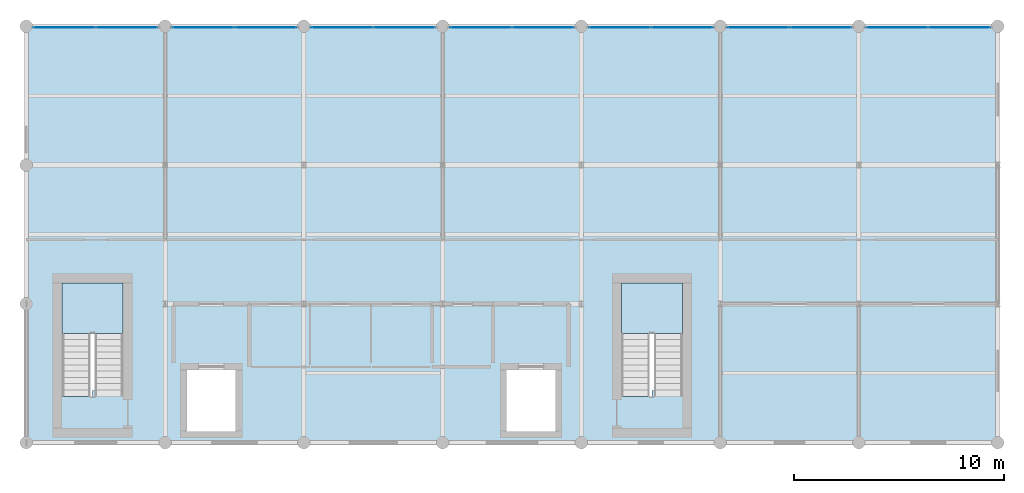
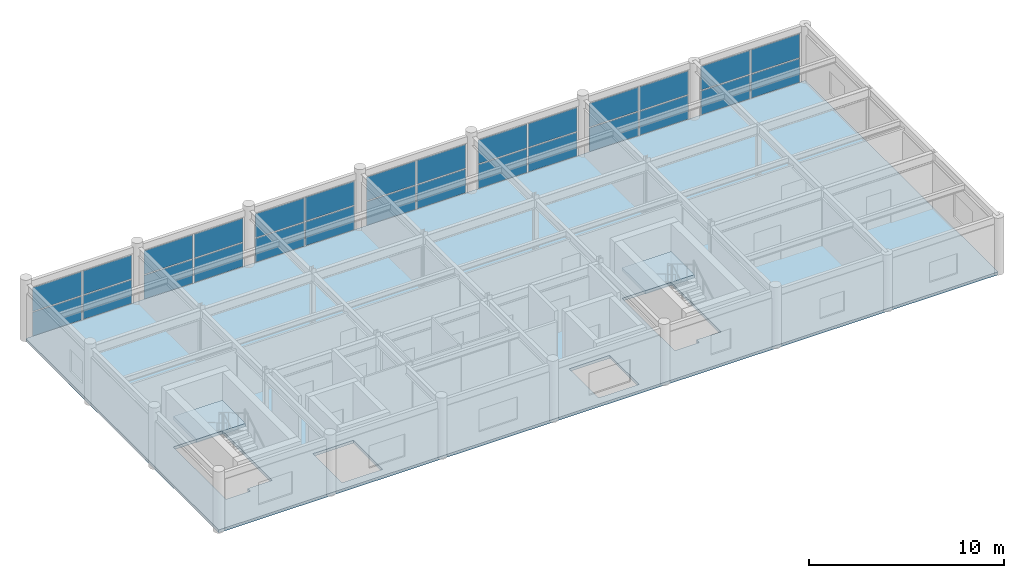
# One storey, part 12 of 17: 28 plates, 3 slabs, 9 elements without a shape of their own.
"""IFC4 building model written with IfcOpenShell, lengths in metres."""

from ifc_helpers import new_model, si_unit, direction, frame, origin, origin_2d, place, context, subcontext, project, spatial, polyline, rectangle, outline, extrude, material, layer, layer_set, type_object, element, aggregate, save


model = new_model("IFC4")

# Units and contexts
model_context = context("Model", 3, precision=1e-05, world=origin(), true_north=direction((0.0, 1.0)))
body_context = subcontext(model_context, "Body", "Model", "MODEL_VIEW")
ifc_project = project(units=[si_unit("LENGTHUNIT", "METRE"), si_unit("AREAUNIT", "SQUARE_METRE"), si_unit("VOLUMEUNIT", "CUBIC_METRE"), si_unit("PLANEANGLEUNIT", "RADIAN"), si_unit("MASSUNIT", "GRAM", prefix="KILO")], contexts=[model_context])

# Site, building, storey
site_placement = place(None, origin())
site = spatial("IfcSite", under=ifc_project, at=site_placement, CompositionType="ELEMENT")
building_placement = place(site_placement, origin())
building = spatial("IfcBuilding", under=site, at=building_placement, Name="Karori Crest Natural Sciences Institute", CompositionType="ELEMENT")
storey_placement = place(building_placement, frame((0.0, 0.0, 38.14990234375)))
storey = spatial("IfcBuildingStorey", under=building, at=storey_placement, Name="L09", CompositionType="ELEMENT", Elevation=38.14990234375)

# Curtain wall, plates
ifc_material_1 = material(Name="Anodised architectural aluminium 6063-T6", Category="aluminium")
curtain_wall_type = type_object("IfcCurtainWallType", Name="CWT-20", PredefinedType="NOTDEFINED", material=ifc_material_1)
curtain_wall_1_placement = place(storey_placement, origin())
curtain_wall_1 = element("IfcCurtainWall", 1, at=curtain_wall_1_placement, inside=storey, type_object=curtain_wall_type, Name="Curtain wall CW-0372", PredefinedType="NOTDEFINED")
ifc_material_2 = material(Name="Double low-E laminated glass", Category="glass")
ifc_layer_1 = layer(ifc_material_2, 0.02392578125, Name="Double low-E laminated glass")
ifc_layer_set_1 = layer_set([ifc_layer_1], Name="Double low-E laminated glass")
plate_type = type_object("IfcPlateType", Name="CWP-01", PredefinedType="CURTAIN_PANEL", material=ifc_layer_set_1)
plate_1_placement = place(storey_placement, frame((105.415283203125, 20.5400390625, 0.06005859375), z_axis=(0.0, 0.0, 1.0), x_axis=(1.0, 0.0, 0.0)))
plate_1 = element("IfcPlate", 2, at=plate_1_placement, type_object=plate_type, Name="CW-0372 panel 1.1", PredefinedType="CURTAIN_PANEL", context=body_context, shape_type="SweptSolid", body=[
    extrude(rectangle(XDim=2.904541015625, YDim=0.02392578125, at=origin_2d()), origin(), (0.0, 0.0, 1.0), 1.487548828125),
])
plate_2_placement = place(storey_placement, frame((105.415283203125, 20.5400390625, 1.607421875), z_axis=(0.0, 0.0, 1.0), x_axis=(1.0, 0.0, 0.0)))
plate_2 = element("IfcPlate", 3, at=plate_2_placement, type_object=plate_type, Name="CW-0372 panel 1.2", PredefinedType="CURTAIN_PANEL", context=body_context, shape_type="SweptSolid", body=[
    extrude(rectangle(XDim=2.904541015625, YDim=0.02392578125, at=origin_2d()), origin(), (0.0, 0.0, 1.0), 1.487548828125),
])
plate_3_placement = place(storey_placement, frame((108.384765625, 20.5400390625, 0.06005859375), z_axis=(0.0, 0.0, 1.0), x_axis=(1.0, 0.0, 0.0)))
plate_3 = element("IfcPlate", 4, at=plate_3_placement, type_object=plate_type, Name="CW-0372 panel 2.1", PredefinedType="CURTAIN_PANEL", context=body_context, shape_type="SweptSolid", body=[
    extrude(rectangle(XDim=2.904541015625, YDim=0.02392578125, at=origin_2d()), origin(), (0.0, 0.0, 1.0), 1.487548828125),
])
plate_4_placement = place(storey_placement, frame((108.384765625, 20.5400390625, 1.607421875), z_axis=(0.0, 0.0, 1.0), x_axis=(1.0, 0.0, 0.0)))
plate_4 = element("IfcPlate", 5, at=plate_4_placement, type_object=plate_type, Name="CW-0372 panel 2.2", PredefinedType="CURTAIN_PANEL", context=body_context, shape_type="SweptSolid", body=[
    extrude(rectangle(XDim=2.904541015625, YDim=0.02392578125, at=origin_2d()), origin(), (0.0, 0.0, 1.0), 1.487548828125),
])
aggregate(curtain_wall_1, [plate_1, plate_2, plate_3, plate_4])

curtain_wall_2_placement = place(storey_placement, origin())
curtain_wall_2 = element("IfcCurtainWall", 6, at=curtain_wall_2_placement, inside=storey, type_object=curtain_wall_type, Name="Curtain wall CW-0373", PredefinedType="NOTDEFINED")
plate_5_placement = place(storey_placement, frame((112.01513671875, 20.5400390625, 0.06005859375), z_axis=(0.0, 0.0, 1.0), x_axis=(1.0, 0.0, 0.0)))
plate_5 = element("IfcPlate", 7, at=plate_5_placement, type_object=plate_type, Name="CW-0373 panel 1.1", PredefinedType="CURTAIN_PANEL", context=body_context, shape_type="SweptSolid", body=[
    extrude(rectangle(XDim=2.904541015625, YDim=0.02392578125, at=origin_2d()), origin(), (0.0, 0.0, 1.0), 1.487548828125),
])
plate_6_placement = place(storey_placement, frame((112.01513671875, 20.5400390625, 1.607421875), z_axis=(0.0, 0.0, 1.0), x_axis=(1.0, 0.0, 0.0)))
plate_6 = element("IfcPlate", 8, at=plate_6_placement, type_object=plate_type, Name="CW-0373 panel 1.2", PredefinedType="CURTAIN_PANEL", context=body_context, shape_type="SweptSolid", body=[
    extrude(rectangle(XDim=2.904541015625, YDim=0.02392578125, at=origin_2d()), origin(), (0.0, 0.0, 1.0), 1.487548828125),
])
plate_7_placement = place(storey_placement, frame((114.98486328125, 20.5400390625, 0.06005859375), z_axis=(0.0, 0.0, 1.0), x_axis=(1.0, 0.0, 0.0)))
plate_7 = element("IfcPlate", 9, at=plate_7_placement, type_object=plate_type, Name="CW-0373 panel 2.1", PredefinedType="CURTAIN_PANEL", context=body_context, shape_type="SweptSolid", body=[
    extrude(rectangle(XDim=2.904541015625, YDim=0.02392578125, at=origin_2d()), origin(), (0.0, 0.0, 1.0), 1.487548828125),
])
plate_8_placement = place(storey_placement, frame((114.98486328125, 20.5400390625, 1.607421875), z_axis=(0.0, 0.0, 1.0), x_axis=(1.0, 0.0, 0.0)))
plate_8 = element("IfcPlate", 10, at=plate_8_placement, type_object=plate_type, Name="CW-0373 panel 2.2", PredefinedType="CURTAIN_PANEL", context=body_context, shape_type="SweptSolid", body=[
    extrude(rectangle(XDim=2.904541015625, YDim=0.02392578125, at=origin_2d()), origin(), (0.0, 0.0, 1.0), 1.487548828125),
])
aggregate(curtain_wall_2, [plate_5, plate_6, plate_7, plate_8])

curtain_wall_3_placement = place(storey_placement, origin())
curtain_wall_3 = element("IfcCurtainWall", 11, at=curtain_wall_3_placement, inside=storey, type_object=curtain_wall_type, Name="Curtain wall CW-0374", PredefinedType="NOTDEFINED")
plate_9_placement = place(storey_placement, frame((118.615234375, 20.5400390625, 0.06005859375), z_axis=(0.0, 0.0, 1.0), x_axis=(1.0, 0.0, 0.0)))
plate_9 = element("IfcPlate", 12, at=plate_9_placement, type_object=plate_type, Name="CW-0374 panel 1.1", PredefinedType="CURTAIN_PANEL", context=body_context, shape_type="SweptSolid", body=[
    extrude(rectangle(XDim=2.904541015625, YDim=0.02392578125, at=origin_2d()), origin(), (0.0, 0.0, 1.0), 1.487548828125),
])
plate_10_placement = place(storey_placement, frame((118.615234375, 20.5400390625, 1.607421875), z_axis=(0.0, 0.0, 1.0), x_axis=(1.0, 0.0, 0.0)))
plate_10 = element("IfcPlate", 13, at=plate_10_placement, type_object=plate_type, Name="CW-0374 panel 1.2", PredefinedType="CURTAIN_PANEL", context=body_context, shape_type="SweptSolid", body=[
    extrude(rectangle(XDim=2.904541015625, YDim=0.02392578125, at=origin_2d()), origin(), (0.0, 0.0, 1.0), 1.487548828125),
])
plate_11_placement = place(storey_placement, frame((121.584716796875, 20.5400390625, 0.06005859375), z_axis=(0.0, 0.0, 1.0), x_axis=(1.0, 0.0, 0.0)))
plate_11 = element("IfcPlate", 14, at=plate_11_placement, type_object=plate_type, Name="CW-0374 panel 2.1", PredefinedType="CURTAIN_PANEL", context=body_context, shape_type="SweptSolid", body=[
    extrude(rectangle(XDim=2.904541015625, YDim=0.02392578125, at=origin_2d()), origin(), (0.0, 0.0, 1.0), 1.487548828125),
])
plate_12_placement = place(storey_placement, frame((121.584716796875, 20.5400390625, 1.607421875), z_axis=(0.0, 0.0, 1.0), x_axis=(1.0, 0.0, 0.0)))
plate_12 = element("IfcPlate", 15, at=plate_12_placement, type_object=plate_type, Name="CW-0374 panel 2.2", PredefinedType="CURTAIN_PANEL", context=body_context, shape_type="SweptSolid", body=[
    extrude(rectangle(XDim=2.904541015625, YDim=0.02392578125, at=origin_2d()), origin(), (0.0, 0.0, 1.0), 1.487548828125),
])
aggregate(curtain_wall_3, [plate_9, plate_10, plate_11, plate_12])

curtain_wall_4_placement = place(storey_placement, origin())
curtain_wall_4 = element("IfcCurtainWall", 16, at=curtain_wall_4_placement, inside=storey, type_object=curtain_wall_type, Name="Curtain wall CW-0375", PredefinedType="NOTDEFINED")
plate_13_placement = place(storey_placement, frame((125.21533203125, 20.5400390625, 0.06005859375), z_axis=(0.0, 0.0, 1.0), x_axis=(1.0, 0.0, 0.0)))
plate_13 = element("IfcPlate", 17, at=plate_13_placement, type_object=plate_type, Name="CW-0375 panel 1.1", PredefinedType="CURTAIN_PANEL", context=body_context, shape_type="SweptSolid", body=[
    extrude(rectangle(XDim=2.904541015625, YDim=0.02392578125, at=origin_2d()), origin(), (0.0, 0.0, 1.0), 1.487548828125),
])
plate_14_placement = place(storey_placement, frame((125.21533203125, 20.5400390625, 1.607421875), z_axis=(0.0, 0.0, 1.0), x_axis=(1.0, 0.0, 0.0)))
plate_14 = element("IfcPlate", 18, at=plate_14_placement, type_object=plate_type, Name="CW-0375 panel 1.2", PredefinedType="CURTAIN_PANEL", context=body_context, shape_type="SweptSolid", body=[
    extrude(rectangle(XDim=2.904541015625, YDim=0.02392578125, at=origin_2d()), origin(), (0.0, 0.0, 1.0), 1.487548828125),
])
plate_15_placement = place(storey_placement, frame((128.184814453125, 20.5400390625, 0.06005859375), z_axis=(0.0, 0.0, 1.0), x_axis=(1.0, 0.0, 0.0)))
plate_15 = element("IfcPlate", 19, at=plate_15_placement, type_object=plate_type, Name="CW-0375 panel 2.1", PredefinedType="CURTAIN_PANEL", context=body_context, shape_type="SweptSolid", body=[
    extrude(rectangle(XDim=2.904541015625, YDim=0.02392578125, at=origin_2d()), origin(), (0.0, 0.0, 1.0), 1.487548828125),
])
plate_16_placement = place(storey_placement, frame((128.184814453125, 20.5400390625, 1.607421875), z_axis=(0.0, 0.0, 1.0), x_axis=(1.0, 0.0, 0.0)))
plate_16 = element("IfcPlate", 20, at=plate_16_placement, type_object=plate_type, Name="CW-0375 panel 2.2", PredefinedType="CURTAIN_PANEL", context=body_context, shape_type="SweptSolid", body=[
    extrude(rectangle(XDim=2.904541015625, YDim=0.02392578125, at=origin_2d()), origin(), (0.0, 0.0, 1.0), 1.487548828125),
])
aggregate(curtain_wall_4, [plate_13, plate_14, plate_15, plate_16])

curtain_wall_5_placement = place(storey_placement, origin())
curtain_wall_5 = element("IfcCurtainWall", 21, at=curtain_wall_5_placement, inside=storey, type_object=curtain_wall_type, Name="Curtain wall CW-0376", PredefinedType="NOTDEFINED")
plate_17_placement = place(storey_placement, frame((131.815185546875, 20.5400390625, 0.06005859375), z_axis=(0.0, 0.0, 1.0), x_axis=(1.0, 0.0, 0.0)))
plate_17 = element("IfcPlate", 22, at=plate_17_placement, type_object=plate_type, Name="CW-0376 panel 1.1", PredefinedType="CURTAIN_PANEL", context=body_context, shape_type="SweptSolid", body=[
    extrude(rectangle(XDim=2.904541015625, YDim=0.02392578125, at=origin_2d()), origin(), (0.0, 0.0, 1.0), 1.487548828125),
])
plate_18_placement = place(storey_placement, frame((131.815185546875, 20.5400390625, 1.607421875), z_axis=(0.0, 0.0, 1.0), x_axis=(1.0, 0.0, 0.0)))
plate_18 = element("IfcPlate", 23, at=plate_18_placement, type_object=plate_type, Name="CW-0376 panel 1.2", PredefinedType="CURTAIN_PANEL", context=body_context, shape_type="SweptSolid", body=[
    extrude(rectangle(XDim=2.904541015625, YDim=0.02392578125, at=origin_2d()), origin(), (0.0, 0.0, 1.0), 1.487548828125),
])
plate_19_placement = place(storey_placement, frame((134.78466796875, 20.5400390625, 0.06005859375), z_axis=(0.0, 0.0, 1.0), x_axis=(1.0, 0.0, 0.0)))
plate_19 = element("IfcPlate", 24, at=plate_19_placement, type_object=plate_type, Name="CW-0376 panel 2.1", PredefinedType="CURTAIN_PANEL", context=body_context, shape_type="SweptSolid", body=[
    extrude(rectangle(XDim=2.904541015625, YDim=0.02392578125, at=origin_2d()), origin(), (0.0, 0.0, 1.0), 1.487548828125),
])
plate_20_placement = place(storey_placement, frame((134.78466796875, 20.5400390625, 1.607421875), z_axis=(0.0, 0.0, 1.0), x_axis=(1.0, 0.0, 0.0)))
plate_20 = element("IfcPlate", 25, at=plate_20_placement, type_object=plate_type, Name="CW-0376 panel 2.2", PredefinedType="CURTAIN_PANEL", context=body_context, shape_type="SweptSolid", body=[
    extrude(rectangle(XDim=2.904541015625, YDim=0.02392578125, at=origin_2d()), origin(), (0.0, 0.0, 1.0), 1.487548828125),
])
aggregate(curtain_wall_5, [plate_17, plate_18, plate_19, plate_20])

curtain_wall_6_placement = place(storey_placement, origin())
curtain_wall_6 = element("IfcCurtainWall", 26, at=curtain_wall_6_placement, inside=storey, type_object=curtain_wall_type, Name="Curtain wall CW-0377", PredefinedType="NOTDEFINED")
plate_21_placement = place(storey_placement, frame((138.415283203125, 20.5400390625, 0.06005859375), z_axis=(0.0, 0.0, 1.0), x_axis=(1.0, 0.0, 0.0)))
plate_21 = element("IfcPlate", 27, at=plate_21_placement, type_object=plate_type, Name="CW-0377 panel 1.1", PredefinedType="CURTAIN_PANEL", context=body_context, shape_type="SweptSolid", body=[
    extrude(rectangle(XDim=2.904541015625, YDim=0.02392578125, at=origin_2d()), origin(), (0.0, 0.0, 1.0), 1.487548828125),
])
plate_22_placement = place(storey_placement, frame((138.415283203125, 20.5400390625, 1.607421875), z_axis=(0.0, 0.0, 1.0), x_axis=(1.0, 0.0, 0.0)))
plate_22 = element("IfcPlate", 28, at=plate_22_placement, type_object=plate_type, Name="CW-0377 panel 1.2", PredefinedType="CURTAIN_PANEL", context=body_context, shape_type="SweptSolid", body=[
    extrude(rectangle(XDim=2.904541015625, YDim=0.02392578125, at=origin_2d()), origin(), (0.0, 0.0, 1.0), 1.487548828125),
])
plate_23_placement = place(storey_placement, frame((141.384765625, 20.5400390625, 0.06005859375), z_axis=(0.0, 0.0, 1.0), x_axis=(1.0, 0.0, 0.0)))
plate_23 = element("IfcPlate", 29, at=plate_23_placement, type_object=plate_type, Name="CW-0377 panel 2.1", PredefinedType="CURTAIN_PANEL", context=body_context, shape_type="SweptSolid", body=[
    extrude(rectangle(XDim=2.904541015625, YDim=0.02392578125, at=origin_2d()), origin(), (0.0, 0.0, 1.0), 1.487548828125),
])
plate_24_placement = place(storey_placement, frame((141.384765625, 20.5400390625, 1.607421875), z_axis=(0.0, 0.0, 1.0), x_axis=(1.0, 0.0, 0.0)))
plate_24 = element("IfcPlate", 30, at=plate_24_placement, type_object=plate_type, Name="CW-0377 panel 2.2", PredefinedType="CURTAIN_PANEL", context=body_context, shape_type="SweptSolid", body=[
    extrude(rectangle(XDim=2.904541015625, YDim=0.02392578125, at=origin_2d()), origin(), (0.0, 0.0, 1.0), 1.487548828125),
])
aggregate(curtain_wall_6, [plate_21, plate_22, plate_23, plate_24])

curtain_wall_7_placement = place(storey_placement, origin())
curtain_wall_7 = element("IfcCurtainWall", 31, at=curtain_wall_7_placement, inside=storey, type_object=curtain_wall_type, Name="Curtain wall CW-0378", PredefinedType="NOTDEFINED")
plate_25_placement = place(storey_placement, frame((145.01513671875, 20.5400390625, 0.06005859375), z_axis=(0.0, 0.0, 1.0), x_axis=(1.0, 0.0, 0.0)))
plate_25 = element("IfcPlate", 32, at=plate_25_placement, type_object=plate_type, Name="CW-0378 panel 1.1", PredefinedType="CURTAIN_PANEL", context=body_context, shape_type="SweptSolid", body=[
    extrude(rectangle(XDim=2.904541015625, YDim=0.02392578125, at=origin_2d()), origin(), (0.0, 0.0, 1.0), 1.487548828125),
])
plate_26_placement = place(storey_placement, frame((145.01513671875, 20.5400390625, 1.607421875), z_axis=(0.0, 0.0, 1.0), x_axis=(1.0, 0.0, 0.0)))
plate_26 = element("IfcPlate", 33, at=plate_26_placement, type_object=plate_type, Name="CW-0378 panel 1.2", PredefinedType="CURTAIN_PANEL", context=body_context, shape_type="SweptSolid", body=[
    extrude(rectangle(XDim=2.904541015625, YDim=0.02392578125, at=origin_2d()), origin(), (0.0, 0.0, 1.0), 1.487548828125),
])
plate_27_placement = place(storey_placement, frame((147.98486328125, 20.5400390625, 0.06005859375), z_axis=(0.0, 0.0, 1.0), x_axis=(1.0, 0.0, 0.0)))
plate_27 = element("IfcPlate", 34, at=plate_27_placement, type_object=plate_type, Name="CW-0378 panel 2.1", PredefinedType="CURTAIN_PANEL", context=body_context, shape_type="SweptSolid", body=[
    extrude(rectangle(XDim=2.904541015625, YDim=0.02392578125, at=origin_2d()), origin(), (0.0, 0.0, 1.0), 1.487548828125),
])
plate_28_placement = place(storey_placement, frame((147.98486328125, 20.5400390625, 1.607421875), z_axis=(0.0, 0.0, 1.0), x_axis=(1.0, 0.0, 0.0)))
plate_28 = element("IfcPlate", 35, at=plate_28_placement, type_object=plate_type, Name="CW-0378 panel 2.2", PredefinedType="CURTAIN_PANEL", context=body_context, shape_type="SweptSolid", body=[
    extrude(rectangle(XDim=2.904541015625, YDim=0.02392578125, at=origin_2d()), origin(), (0.0, 0.0, 1.0), 1.487548828125),
])
aggregate(curtain_wall_7, [plate_25, plate_26, plate_27, plate_28])

# Slab
ifc_material_3 = material(Name="Concrete 40 MPa", Category="concrete")
ifc_layer_2 = layer(ifc_material_3, 0.179931640625, Name="Concrete 40 MPa")
ifc_layer_set_2 = layer_set([ifc_layer_2], Name="Concrete 40 MPa")
slab_type_1 = type_object("IfcSlabType", Name="SLT-09", PredefinedType="FLOOR", material=ifc_layer_set_2)
slab_1_placement = place(storey_placement, frame((0.0, 0.0, -0.179931640625)))
element("IfcSlab", 36, at=slab_1_placement, inside=storey, type_object=slab_type_1, Name="V5 Slab SL-0174", PredefinedType="FLOOR", context=body_context, shape_type="SweptSolid", body=[
    extrude(outline(polyline([(103.60009765625, 0.800048828125), (149.800048828125, 0.800048828125), (149.800048828125, 20.60009765625), (103.60009765625, 20.60009765625), (103.60009765625, 0.800048828125)]), holes=[polyline([(108.199951171875, 3.280029296875), (106.75, 3.280029296875), (106.75, 3.00048828125), (105.300048828125, 3.00048828125), (105.300048828125, 8.39990234375), (108.199951171875, 8.39990234375), (108.199951171875, 3.280029296875)]), polyline([(134.800048828125, 3.280029296875), (133.35009765625, 3.280029296875), (133.35009765625, 3.00048828125), (131.89990234375, 3.00048828125), (131.89990234375, 8.39990234375), (134.800048828125, 8.39990234375), (134.800048828125, 3.280029296875)]), polyline([(111.199951171875, 4.300048828125), (113.60009765625, 4.300048828125), (113.60009765625, 1.300048828125), (111.199951171875, 1.300048828125), (111.199951171875, 4.300048828125)]), polyline([(126.39990234375, 4.300048828125), (128.800048828125, 4.300048828125), (128.800048828125, 1.300048828125), (126.39990234375, 1.300048828125), (126.39990234375, 4.300048828125)])]), origin(), (0.0, 0.0, 1.0), 0.179931640625),
])

# Stair, slab
stair_type = type_object("IfcStairType", Name="STT-03", PredefinedType="HALF_TURN_STAIR", material=ifc_material_3)
stair_1_placement = place(storey_placement, origin())
stair_1 = element("IfcStair", 37, at=stair_1_placement, inside=storey, type_object=stair_type, Name="Protected stair ST-03-L09", PredefinedType="HALF_TURN_STAIR")
ifc_layer_3 = layer(ifc_material_3, 0.2099609375, Name="Concrete 40 MPa")
ifc_layer_set_3 = layer_set([ifc_layer_3], Name="Concrete 40 MPa")
slab_type_2 = type_object("IfcSlabType", Name="SLT-11", PredefinedType="LANDING", material=ifc_layer_set_3)
slab_2_placement = place(storey_placement, frame((0.0, 0.0, 1.715087890625)))
slab_2 = element("IfcSlab", 38, at=slab_2_placement, type_object=slab_type_2, Name="ST-03-L09 landing 1", PredefinedType="LANDING", context=body_context, shape_type="SweptSolid", body=[
    extrude(outline(polyline([(108.199951171875, 6.0), (108.199951171875, 8.39990234375), (105.300048828125, 8.39990234375), (105.300048828125, 6.0), (108.199951171875, 6.0)])), origin(), (0.0, 0.0, 1.0), 0.2099609375),
])
aggregate(stair_1, [slab_2])

stair_2_placement = place(storey_placement, origin())
stair_2 = element("IfcStair", 39, at=stair_2_placement, inside=storey, type_object=stair_type, Name="Protected stair ST-04-L09", PredefinedType="HALF_TURN_STAIR")
slab_3_placement = place(storey_placement, frame((0.0, 0.0, 1.715087890625)))
slab_3 = element("IfcSlab", 40, at=slab_3_placement, type_object=slab_type_2, Name="ST-04-L09 landing 1", PredefinedType="LANDING", context=body_context, shape_type="SweptSolid", body=[
    extrude(outline(polyline([(134.800048828125, 6.0), (134.800048828125, 8.39990234375), (131.89990234375, 8.39990234375), (131.89990234375, 6.0), (134.800048828125, 6.0)])), origin(), (0.0, 0.0, 1.0), 0.2099609375),
])
aggregate(stair_2, [slab_3])

save(model, "model.ifc")
